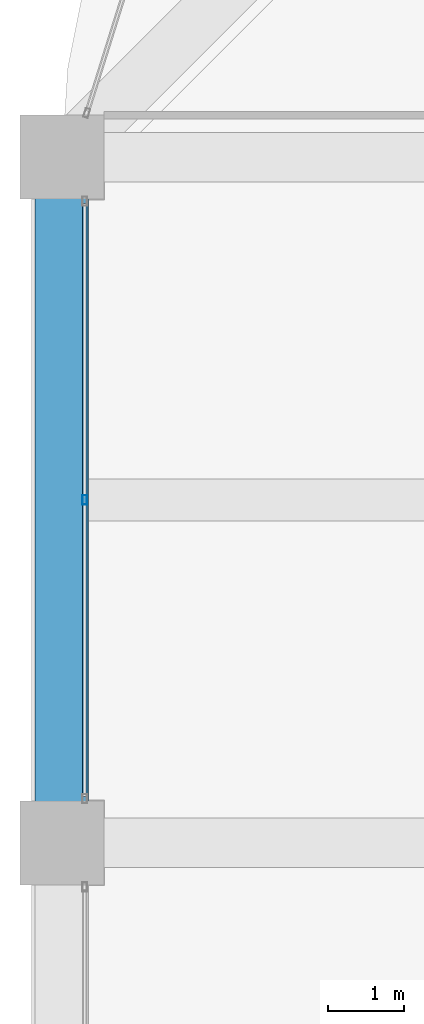
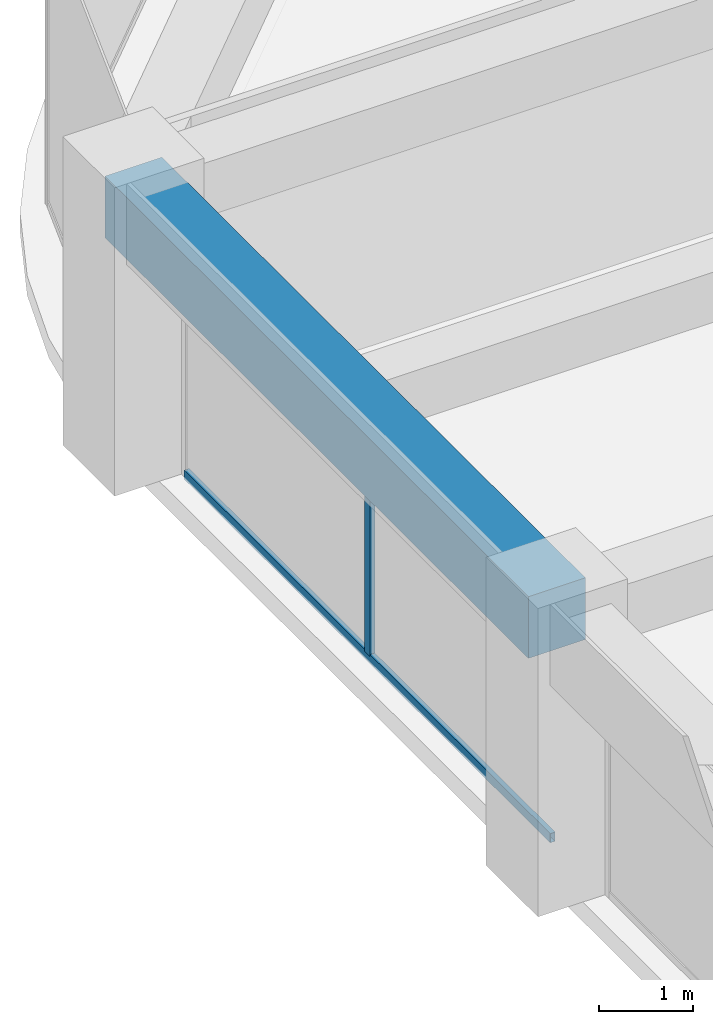
# One storey, part 16 of 44: 2 members, 1 beam, 1 element without a shape of its own.
"""IFC4 building model written with IfcOpenShell, lengths in metres."""

from ifc_helpers import new_model, si_unit, direction, frame, origin, origin_2d, place, context, subcontext, project, spatial, rectangle, hollow_rectangle, extrude, material, material_profile, profile_set, type_object, element, aggregate, save


model = new_model("IFC4")

# Units and contexts
model_context = context("Model", 3, precision=1e-05, world=origin(), true_north=direction((0.0, 1.0)))
body_context = subcontext(model_context, "Body", "Model", "MODEL_VIEW")
ifc_project = project(units=[si_unit("LENGTHUNIT", "METRE"), si_unit("AREAUNIT", "SQUARE_METRE"), si_unit("VOLUMEUNIT", "CUBIC_METRE"), si_unit("PLANEANGLEUNIT", "RADIAN"), si_unit("MASSUNIT", "GRAM", prefix="KILO")], contexts=[model_context])

# Site, building, storey
site_placement = place(None, origin())
site = spatial("IfcSite", under=ifc_project, at=site_placement, CompositionType="ELEMENT")
building_placement = place(site_placement, origin())
building = spatial("IfcBuilding", under=site, at=building_placement, Name="Zorevar Civic Tower", CompositionType="ELEMENT")
storey_placement = place(building_placement, frame((0.0, 0.0, 299.39990234375)))
storey = spatial("IfcBuildingStorey", under=building, at=storey_placement, Name="L73", CompositionType="ELEMENT", Elevation=299.39990234375)

# Curtain wall, members
ifc_material_1 = material(Name="Dark grey solar-control glass in black aluminium frame", Category="aluminium")
curtain_wall_type = type_object("IfcCurtainWallType", Name="Curtain wall CW5 top zone", PredefinedType="NOTDEFINED", material=ifc_material_1)
curtain_wall_placement = place(storey_placement, origin())
curtain_wall = element("IfcCurtainWall", 1, at=curtain_wall_placement, inside=storey, type_object=curtain_wall_type, Name="CW5 L73", PredefinedType="NOTDEFINED")
ifc_material_2 = material(Name="Aluminium, black anodised", Category="aluminium")
ifc_material_profile_1 = material_profile(ifc_material_2, hollow_rectangle(XDim=0.06005859375, YDim=0.1201171875, WallThickness=0.0029296875, at=origin_2d()), Name="AL 120x60x3")
ifc_profile_set_1 = profile_set([ifc_material_profile_1], Name="Aluminium, black anodised")
member_type_1 = type_object("IfcMemberType", Name="CW5 mullion AL 120x60x3", PredefinedType="MULLION", material=ifc_profile_set_1)
member_1_placement = place(storey_placement, frame((9.300048828125, 31.5, 0.06005859375), z_axis=(0.0, 0.0, 1.0), x_axis=(-1.0, 0.0, 0.0)))
member_1 = element("IfcMember", 2, at=member_1_placement, type_object=member_type_1, Name="CW5 mullion 2", PredefinedType="MULLION", context=body_context, shape_type="SweptSolid", body=[
    extrude(hollow_rectangle(XDim=0.06005859375, YDim=0.1201171875, WallThickness=0.0029296875, at=origin_2d()), origin(), (0.0, 0.0, 1.0), 2.89013671875),
])
ifc_material_3 = material(Name="Aluminium, black anodised", Category="aluminium")
ifc_material_profile_2 = material_profile(ifc_material_3, hollow_rectangle(XDim=0.06005859375, YDim=0.1201171875, WallThickness=0.0029296875, at=origin_2d()), Name="AL 120x60x3")
ifc_profile_set_2 = profile_set([ifc_material_profile_2], Name="Aluminium, black anodised")
member_type_2 = type_object("IfcMemberType", Name="CW5 transom AL 120x60x3", PredefinedType="USERDEFINED", material=ifc_profile_set_2)
member_2_placement = place(storey_placement, frame((9.300048828125, 27.610107421875, 0.030029296875), z_axis=(0.0, 1.0, 0.0), x_axis=(-1.0, 0.0, 0.0)))
member_2 = element("IfcMember", 3, at=member_2_placement, type_object=member_type_2, Name="CW5 sill transom", ObjectType="TRANSOM", PredefinedType="USERDEFINED", context=body_context, shape_type="SweptSolid", body=[
    extrude(hollow_rectangle(XDim=0.06005859375, YDim=0.1201171875, WallThickness=0.0029296875, at=origin_2d()), origin(), (0.0, 0.0, 1.0), 7.77978515625),
])
aggregate(curtain_wall, [member_1, member_2])

# Beam
ifc_material_4 = material(Name="Concrete C50/60", Category="concrete")
ifc_material_profile_3 = material_profile(ifc_material_4, rectangle(XDim=0.699951171875, YDim=0.800048828125, at=origin_2d()), Name="RC 700x800")
ifc_profile_set_3 = profile_set([ifc_material_profile_3], Name="Concrete C50/60")
beam_type = type_object("IfcBeamType", Name="Edge beam RC 700x800", PredefinedType="SPANDREL", material=ifc_profile_set_3)
beam_placement = place(storey_placement, frame((9.0, 27.0, 3.35009765625), z_axis=(0.0, 1.0, 0.0), x_axis=(-1.0, 0.0, 0.0)))
element("IfcBeam", 4, at=beam_placement, inside=storey, type_object=beam_type, Name="Edge beam L74", PredefinedType="SPANDREL", context=body_context, shape_type="SweptSolid", body=[
    extrude(rectangle(XDim=0.699951171875, YDim=0.800048828125, at=origin_2d()), origin(), (0.0, 0.0, 1.0), 9.0),
])

save(model, "model.ifc")
